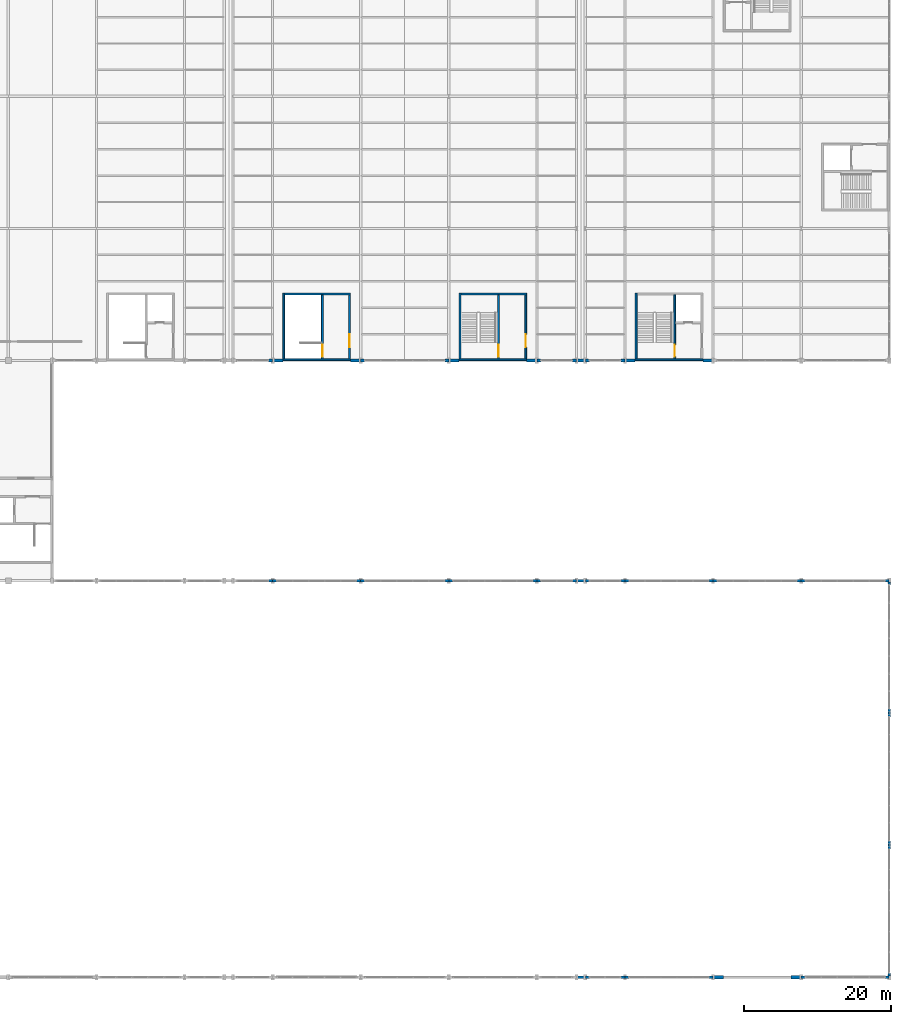
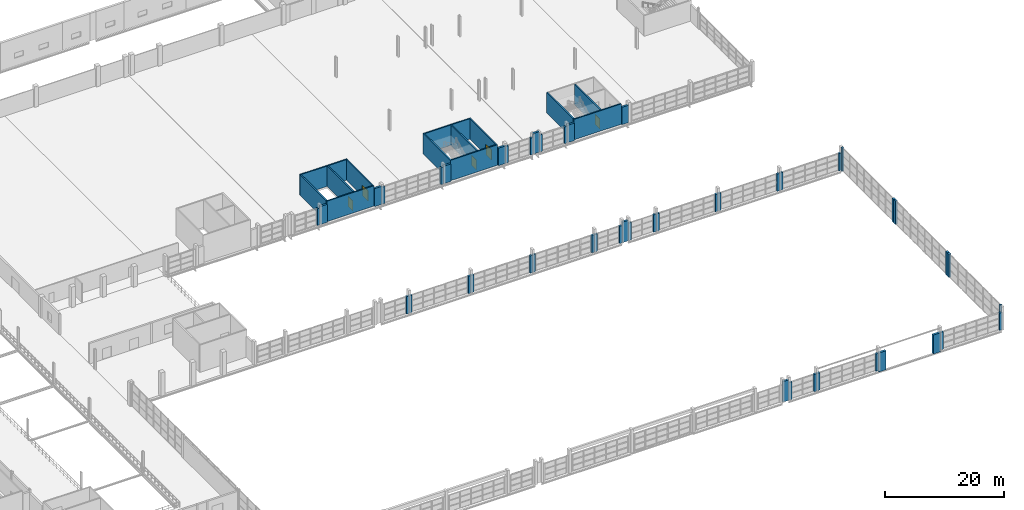
# One storey, part 137 of 147: 60 walls, 5 doors, 5 openings.
"""IFC4 building model written with IfcOpenShell, lengths in metres."""

from ifc_helpers import new_model, si_unit, direction, frame, frame_2d, origin, place, context, subcontext, project, spatial, rectangle, extrude, material, layer, layer_set, type_object, element, fill, save


model = new_model("IFC4")

# Units and contexts
model_context = context("Model", 3, precision=1e-05, world=origin(), true_north=direction((0.0, 1.0)))
body_context = subcontext(model_context, "Body", "Model", "MODEL_VIEW")
ifc_project = project(units=[si_unit("LENGTHUNIT", "METRE"), si_unit("AREAUNIT", "SQUARE_METRE"), si_unit("VOLUMEUNIT", "CUBIC_METRE"), si_unit("PLANEANGLEUNIT", "RADIAN"), si_unit("MASSUNIT", "GRAM", prefix="KILO")], contexts=[model_context])

# Site, building, storey
site_placement = place(None, origin())
site = spatial("IfcSite", under=ifc_project, at=site_placement, CompositionType="ELEMENT")
building_placement = place(site_placement, origin())
building = spatial("IfcBuilding", under=site, at=building_placement, Name="Zilviju Railside Exhibition Hall", CompositionType="ELEMENT")
storey_placement = place(building_placement, frame((0.0, 0.0, 8.39990234375)))
storey = spatial("IfcBuildingStorey", under=building, at=storey_placement, Name="L03", CompositionType="ELEMENT", Elevation=8.39990234375)

# Walls
ifc_material_1 = material(Name="Concrete C35/45", Category="concrete")
ifc_layer_1 = layer(ifc_material_1, 0.25)
ifc_layer_set_1 = layer_set([ifc_layer_1], Name="Concrete C35/45")
wall_type_1 = type_object("IfcWallType", Name="WL-CORE-250", PredefinedType="SHEAR", material=ifc_layer_set_1)
wall_1_placement = place(storey_placement, frame((133.52490234375, 84.0, 0.0), z_axis=(0.0, 0.0, 1.0), x_axis=(0.0, 1.0, 0.0)))
element("IfcWall", 1, at=wall_1_placement, inside=storey, type_object=wall_type_1, Name="Core C05 North Hall Court MidW Stairwell Outer Wall L03", PredefinedType="SHEAR", context=body_context, shape_type="SweptSolid", body=[
    extrude(rectangle(XDim=9.199951171875, YDim=0.25, at=frame_2d((4.60009765625, 0.0))), origin(), (0.0, 0.0, 1.0), 4.2001953125),
])
wall_2_placement = place(storey_placement, frame((133.39990234375, 93.074951171875, 0.0), z_axis=(0.0, 0.0, 1.0), x_axis=(1.0, 0.0, 0.0)))
element("IfcWall", 2, at=wall_2_placement, inside=storey, type_object=wall_type_1, Name="Core C05 North Hall Court MidW Core Rear Wall L03", PredefinedType="SHEAR", context=body_context, shape_type="SweptSolid", body=[
    extrude(rectangle(XDim=9.2001953125, YDim=0.25, at=frame_2d((4.60009765625, 0.0))), origin(), (0.0, 0.0, 1.0), 4.2001953125),
])

# Wall, opening, door
wall_3_placement = place(storey_placement, frame((142.47509765625, 84.0, 0.0), z_axis=(0.0, 0.0, 1.0), x_axis=(0.0, 1.0, 0.0)))
wall_3 = element("IfcWall", 3, at=wall_3_placement, inside=storey, type_object=wall_type_1, Name="Core C05 North Hall Court MidW Lobby Side Wall L03", PredefinedType="SHEAR", context=body_context, shape_type="SweptSolid", body=[
    extrude(rectangle(XDim=9.199951171875, YDim=0.25, at=frame_2d((4.60009765625, 0.0))), origin(), (0.0, 0.0, 1.0), 4.2001953125),
])
opening_1_placement = place(wall_3_placement, frame((1.800048828125, 0.0, 0.0)))
opening_1 = element("IfcOpeningElement", 4, at=opening_1_placement, cuts=wall_3, Name="Opening FD-02", PredefinedType="OPENING", context=body_context, shape_type="SweptSolid", body=[
    extrude(rectangle(XDim=1.800048828125, YDim=2.14990234375, at=frame_2d((0.89990234375, 1.074951171875))), frame((0.0, 0.135009765625, 0.0), z_axis=(0.0, -1.0, 0.0), x_axis=(1.0, 0.0, 0.0)), (0.0, 0.0, 1.0), 0.27001953125),
])
ifc_material_2 = material(Name="Self-closing glazed steel core lobby fire door EI 60", Category="steel")
door_type_1 = type_object("IfcDoorType", Name="DR-LOBBY-180x215", OperationType="NOTDEFINED", PredefinedType="DOOR", material=ifc_material_2)
door_1_placement = place(opening_1_placement, origin())
door_1 = element("IfcDoor", 5, at=door_1_placement, inside=storey, type_object=door_type_1, Name="Core C05 North Hall Court MidW Lobby Fire Door L03", OperationType="DOUBLE_DOOR_SINGLE_SWING", OverallHeight=2.14990234375, OverallWidth=1.800048828125, PredefinedType="DOOR", context=body_context, shape_type="SweptSolid", body=[
    extrude(rectangle(XDim=1.800048828125, YDim=2.14990234375, at=frame_2d((0.89990234375, 1.074951171875))), frame((0.0, 0.02490234375, 0.0), z_axis=(0.0, -1.0, 0.0), x_axis=(1.0, 0.0, 0.0)), (0.0, 0.0, 1.0), 0.050048828125),
])
fill(opening_1, door_1)

wall_4_placement = place(storey_placement, frame((138.77490234375, 84.25, 0.0), z_axis=(0.0, 0.0, 1.0), x_axis=(0.0, 1.0, 0.0)))
wall_4 = element("IfcWall", 6, at=wall_4_placement, inside=storey, type_object=wall_type_1, Name="Core C05 North Hall Court MidW Stairwell Partition Wall L03", PredefinedType="SHEAR", context=body_context, shape_type="SweptSolid", body=[
    extrude(rectangle(XDim=8.699951171875, YDim=0.25, at=frame_2d((4.35009765625, 0.0))), origin(), (0.0, 0.0, 1.0), 4.2001953125),
])
opening_2_placement = place(wall_4_placement, frame((0.25, 0.0, 0.0)))
opening_2 = element("IfcOpeningElement", 7, at=opening_2_placement, cuts=wall_4, Name="Opening FD-01", PredefinedType="OPENING", context=body_context, shape_type="SweptSolid", body=[
    extrude(rectangle(XDim=1.64990234375, YDim=2.10009765625, at=frame_2d((0.824951171875, 1.050048828125))), frame((0.0, 0.135009765625, 0.0), z_axis=(0.0, -1.0, 0.0), x_axis=(1.0, 0.0, 0.0)), (0.0, 0.0, 1.0), 0.27001953125),
])
ifc_material_3 = material(Name="Self-closing steel stair enclosure fire door EI 60", Category="steel")
door_type_2 = type_object("IfcDoorType", Name="DR-STAIR-165x210", OperationType="NOTDEFINED", PredefinedType="DOOR", material=ifc_material_3)
door_2_placement = place(opening_2_placement, origin())
door_2 = element("IfcDoor", 8, at=door_2_placement, inside=storey, type_object=door_type_2, Name="Core C05 North Hall Court MidW Protected Stair Door L03", OperationType="SINGLE_SWING_LEFT", OverallHeight=2.10009765625, OverallWidth=1.64990234375, PredefinedType="DOOR", context=body_context, shape_type="SweptSolid", body=[
    extrude(rectangle(XDim=1.64990234375, YDim=2.10009765625, at=frame_2d((0.824951171875, 1.050048828125))), frame((0.0, 0.02490234375, 0.0), z_axis=(0.0, -1.0, 0.0), x_axis=(1.0, 0.0, 0.0)), (0.0, 0.0, 1.0), 0.050048828125),
])
fill(opening_2, door_2)

# Walls
wall_5_placement = place(storey_placement, frame((157.52490234375, 84.0, 0.0), z_axis=(0.0, 0.0, 1.0), x_axis=(0.0, 1.0, 0.0)))
element("IfcWall", 9, at=wall_5_placement, inside=storey, type_object=wall_type_1, Name="Core C06 North Hall Court MidE Stairwell Outer Wall L03", PredefinedType="SHEAR", context=body_context, shape_type="SweptSolid", body=[
    extrude(rectangle(XDim=9.199951171875, YDim=0.25, at=frame_2d((4.60009765625, 0.0))), origin(), (0.0, 0.0, 1.0), 4.2001953125),
])
wall_6_placement = place(storey_placement, frame((157.39990234375, 93.074951171875, 0.0), z_axis=(0.0, 0.0, 1.0), x_axis=(1.0, 0.0, 0.0)))
element("IfcWall", 10, at=wall_6_placement, inside=storey, type_object=wall_type_1, Name="Core C06 North Hall Court MidE Core Rear Wall L03", PredefinedType="SHEAR", context=body_context, shape_type="SweptSolid", body=[
    extrude(rectangle(XDim=9.2001953125, YDim=0.25, at=frame_2d((4.60009765625, 0.0))), origin(), (0.0, 0.0, 1.0), 4.2001953125),
])

# Wall, opening, door
wall_7_placement = place(storey_placement, frame((166.47509765625, 84.0, 0.0), z_axis=(0.0, 0.0, 1.0), x_axis=(0.0, 1.0, 0.0)))
wall_7 = element("IfcWall", 11, at=wall_7_placement, inside=storey, type_object=wall_type_1, Name="Core C06 North Hall Court MidE Lobby Side Wall L03", PredefinedType="SHEAR", context=body_context, shape_type="SweptSolid", body=[
    extrude(rectangle(XDim=9.199951171875, YDim=0.25, at=frame_2d((4.60009765625, 0.0))), origin(), (0.0, 0.0, 1.0), 4.2001953125),
])
opening_3_placement = place(wall_7_placement, frame((1.800048828125, 0.0, 0.0)))
opening_3 = element("IfcOpeningElement", 12, at=opening_3_placement, cuts=wall_7, Name="Opening FD-02", PredefinedType="OPENING", context=body_context, shape_type="SweptSolid", body=[
    extrude(rectangle(XDim=1.800048828125, YDim=2.14990234375, at=frame_2d((0.89990234375, 1.074951171875))), frame((0.0, 0.135009765625, 0.0), z_axis=(0.0, -1.0, 0.0), x_axis=(1.0, 0.0, 0.0)), (0.0, 0.0, 1.0), 0.27001953125),
])
door_3_placement = place(opening_3_placement, origin())
door_3 = element("IfcDoor", 13, at=door_3_placement, inside=storey, type_object=door_type_1, Name="Core C06 North Hall Court MidE Lobby Fire Door L03", OperationType="DOUBLE_DOOR_SINGLE_SWING", OverallHeight=2.14990234375, OverallWidth=1.800048828125, PredefinedType="DOOR", context=body_context, shape_type="SweptSolid", body=[
    extrude(rectangle(XDim=1.800048828125, YDim=2.14990234375, at=frame_2d((0.89990234375, 1.074951171875))), frame((0.0, 0.02490234375, 0.0), z_axis=(0.0, -1.0, 0.0), x_axis=(1.0, 0.0, 0.0)), (0.0, 0.0, 1.0), 0.050048828125),
])
fill(opening_3, door_3)

wall_8_placement = place(storey_placement, frame((162.77490234375, 84.25, 0.0), z_axis=(0.0, 0.0, 1.0), x_axis=(0.0, 1.0, 0.0)))
wall_8 = element("IfcWall", 14, at=wall_8_placement, inside=storey, type_object=wall_type_1, Name="Core C06 North Hall Court MidE Stairwell Partition Wall L03", PredefinedType="SHEAR", context=body_context, shape_type="SweptSolid", body=[
    extrude(rectangle(XDim=8.699951171875, YDim=0.25, at=frame_2d((4.35009765625, 0.0))), origin(), (0.0, 0.0, 1.0), 4.2001953125),
])
opening_4_placement = place(wall_8_placement, frame((0.25, 0.0, 0.0)))
opening_4 = element("IfcOpeningElement", 15, at=opening_4_placement, cuts=wall_8, Name="Opening FD-01", PredefinedType="OPENING", context=body_context, shape_type="SweptSolid", body=[
    extrude(rectangle(XDim=1.64990234375, YDim=2.10009765625, at=frame_2d((0.824951171875, 1.050048828125))), frame((0.0, 0.135009765625, 0.0), z_axis=(0.0, -1.0, 0.0), x_axis=(1.0, 0.0, 0.0)), (0.0, 0.0, 1.0), 0.27001953125),
])
door_4_placement = place(opening_4_placement, origin())
door_4 = element("IfcDoor", 16, at=door_4_placement, inside=storey, type_object=door_type_2, Name="Core C06 North Hall Court MidE Protected Stair Door L03", OperationType="SINGLE_SWING_RIGHT", OverallHeight=2.10009765625, OverallWidth=1.64990234375, PredefinedType="DOOR", context=body_context, shape_type="SweptSolid", body=[
    extrude(rectangle(XDim=1.64990234375, YDim=2.10009765625, at=frame_2d((0.824951171875, 1.050048828125))), frame((0.0, 0.02490234375, 0.0), z_axis=(0.0, -1.0, 0.0), x_axis=(1.0, 0.0, 0.0)), (0.0, 0.0, 1.0), 0.050048828125),
])
fill(opening_4, door_4)

# Wall
wall_9_placement = place(storey_placement, frame((181.52490234375, 84.0, 0.0), z_axis=(0.0, 0.0, 1.0), x_axis=(0.0, 1.0, 0.0)))
element("IfcWall", 17, at=wall_9_placement, inside=storey, type_object=wall_type_1, Name="Core C07 North Hall Court East Stairwell Outer Wall L03", PredefinedType="SHEAR", context=body_context, shape_type="SweptSolid", body=[
    extrude(rectangle(XDim=9.199951171875, YDim=0.25, at=frame_2d((4.60009765625, 0.0))), origin(), (0.0, 0.0, 1.0), 4.2001953125),
])

# Wall, opening, door
wall_10_placement = place(storey_placement, frame((186.77490234375, 84.25, 0.0), z_axis=(0.0, 0.0, 1.0), x_axis=(0.0, 1.0, 0.0)))
wall_10 = element("IfcWall", 18, at=wall_10_placement, inside=storey, type_object=wall_type_1, Name="Core C07 North Hall Court East Stairwell Partition Wall L03", PredefinedType="SHEAR", context=body_context, shape_type="SweptSolid", body=[
    extrude(rectangle(XDim=8.699951171875, YDim=0.25, at=frame_2d((4.35009765625, 0.0))), origin(), (0.0, 0.0, 1.0), 4.2001953125),
])
opening_5_placement = place(wall_10_placement, frame((0.25, 0.0, 0.0)))
opening_5 = element("IfcOpeningElement", 19, at=opening_5_placement, cuts=wall_10, Name="Opening FD-01", PredefinedType="OPENING", context=body_context, shape_type="SweptSolid", body=[
    extrude(rectangle(XDim=1.64990234375, YDim=2.10009765625, at=frame_2d((0.824951171875, 1.050048828125))), frame((0.0, 0.135009765625, 0.0), z_axis=(0.0, -1.0, 0.0), x_axis=(1.0, 0.0, 0.0)), (0.0, 0.0, 1.0), 0.27001953125),
])
door_5_placement = place(opening_5_placement, origin())
door_5 = element("IfcDoor", 20, at=door_5_placement, inside=storey, type_object=door_type_2, Name="Core C07 North Hall Court East Protected Stair Door L03", OperationType="SINGLE_SWING_RIGHT", OverallHeight=2.10009765625, OverallWidth=1.64990234375, PredefinedType="DOOR", context=body_context, shape_type="SweptSolid", body=[
    extrude(rectangle(XDim=1.64990234375, YDim=2.10009765625, at=frame_2d((0.824951171875, 1.050048828125))), frame((0.0, 0.02490234375, 0.0), z_axis=(0.0, -1.0, 0.0), x_axis=(1.0, 0.0, 0.0)), (0.0, 0.0, 1.0), 0.050048828125),
])
fill(opening_5, door_5)

# Walls
ifc_material_4 = material(Name="Concrete C40/50", Category="concrete")
ifc_layer_2 = layer(ifc_material_4, 0.25)
ifc_layer_set_2 = layer_set([ifc_layer_2], Name="Concrete C40/50")
wall_type_2 = type_object("IfcWallType", Name="WL-CORE-300", PredefinedType="SHEAR", material=ifc_layer_set_2)
for number, where, z_axis, x_axis, name in (
    (21, (142.60009765625, 84.125, 0.0), (0.0, 0.0, 1.0), (-1.0, 0.0, 0.0), "Core C05 North Hall Court MidW Exterior Core Wall L03"),
    (22, (166.60009765625, 84.125, 0.0), (0.0, 0.0, 1.0), (-1.0, 0.0, 0.0), "Core C06 North Hall Court MidE Exterior Core Wall L03"),
    (23, (190.60009765625, 84.125, 0.0), (0.0, 0.0, 1.0), (-1.0, 0.0, 0.0), "Core C07 North Hall Court East Exterior Core Wall L03"),
):
    element("IfcWall", number, at=place(storey_placement, frame(where, z_axis=z_axis, x_axis=x_axis)), inside=storey, type_object=wall_type_2, Name=name, PredefinedType="SHEAR", context=body_context, shape_type="SweptSolid", body=[
        extrude(rectangle(XDim=9.2001953125, YDim=0.25, at=frame_2d((4.60009765625, 0.0))), origin(), (0.0, 0.0, 1.0), 4.2001953125),
    ])
ifc_material_5 = material(Name="Insulated courtyard masonry wall", Category="masonry")
ifc_layer_3 = layer(ifc_material_5, 0.360107421875)
ifc_layer_set_3 = layer_set([ifc_layer_3], Name="Insulated courtyard masonry wall")
wall_type_3 = type_object("IfcWallType", Name="WL-EXT-360", PredefinedType="SOLIDWALL", material=ifc_layer_set_3)
for number, where, z_axis, x_axis, name in (
    (24, (174.60009765625, 0.0, 0.0), (0.0, 0.0, 1.0), (-1.0, 0.0, 0.0), "Exterior Facade Wall L03 South 0601"),
    (25, (173.39990234375, 54.0, 0.0), (0.0, 0.0, 1.0), (1.0, 0.0, 0.0), "Exterior Facade Wall L03 North 0602"),
):
    element("IfcWall", number, at=place(storey_placement, frame(where, z_axis=z_axis, x_axis=x_axis)), inside=storey, type_object=wall_type_3, Name=name, PredefinedType="SOLIDWALL", context=body_context, shape_type="SweptSolid", body=[
        extrude(rectangle(XDim=1.2001953125, YDim=0.360107421875, at=frame_2d((0.60009765625, 0.0))), origin(), (0.0, 0.0, 1.0), 4.2001953125),
    ])
ifc_material_6 = material(Name="Insulated cream-brick upper facade wall", Category="masonry")
ifc_layer_4 = layer(ifc_material_6, 0.3798828125)
ifc_layer_set_4 = layer_set([ifc_layer_4], Name="Insulated cream-brick upper facade wall")
wall_type_4 = type_object("IfcWallType", Name="WL-EXT-380", PredefinedType="SOLIDWALL", material=ifc_layer_set_4)
wall_11_placement = place(storey_placement, frame((175.14990234375, 0.0, 0.0), z_axis=(0.0, 0.0, 1.0), x_axis=(-1.0, 0.0, 0.0)))
element("IfcWall", 26, at=wall_11_placement, inside=storey, type_object=wall_type_4, Name="Curtain-Wall Jamb Closure Pier L03 0115", PredefinedType="SOLIDWALL", context=body_context, shape_type="SweptSolid", body=[
    extrude(rectangle(XDim=0.5478515625, YDim=0.3798828125, at=frame_2d((0.27392578125, 0.0))), origin(), (0.0, 0.0, 1.0), 3.56005859375),
])
wall_12_placement = place(storey_placement, frame((180.0, 0.0, 0.0), z_axis=(0.0, 0.0, 1.0), x_axis=(-1.0, 0.0, 0.0)))
element("IfcWall", 27, at=wall_12_placement, inside=storey, type_object=wall_type_4, Name="Curtain-Wall Jamb Closure Pier L03 0116", PredefinedType="SOLIDWALL", context=body_context, shape_type="SweptSolid", body=[
    extrude(rectangle(XDim=0.550048828125, YDim=0.3798828125, at=frame_2d((0.27490234375, 0.0))), origin(), (0.0, 0.0, 1.0), 3.56005859375),
])
for number, where, z_axis, x_axis, name in (
    (28, (180.550048828125, 0.0, 0.0), (0.0, 0.0, 1.0), (-1.0, 0.0, 0.0), "Curtain-Wall Jamb Closure Pier L03 0117"),
    (29, (191.998046875, 0.0, 0.0), (0.0, 0.0, 1.0), (-1.0, 0.0, 0.0), "Curtain-Wall Jamb Closure Pier L03 0118"),
    (30, (204.550048828125, 0.0, 0.0), (0.0, 0.0, 1.0), (-1.0, 0.0, 0.0), "Curtain-Wall Jamb Closure Pier L03 0121"),
):
    element("IfcWall", number, at=place(storey_placement, frame(where, z_axis=z_axis, x_axis=x_axis)), inside=storey, type_object=wall_type_4, Name=name, PredefinedType="SOLIDWALL", context=body_context, shape_type="SweptSolid", body=[
        extrude(rectangle(XDim=0.548095703125, YDim=0.3798828125, at=frame_2d((0.27392578125, 0.0))), origin(), (0.0, 0.0, 1.0), 3.56005859375),
    ])
for number, where, z_axis, x_axis, name in (
    (31, (216.0, 0.0, 0.0), (0.0, 0.0, 1.0), (-1.0, 0.0, 0.0), "Curtain-Wall Jamb Closure Pier L03 0122"),
    (32, (131.449951171875, 54.0, 0.0), (0.0, 0.0, 1.0), (1.0, 0.0, 0.0), "Curtain-Wall Jamb Closure Pier L03 0130"),
):
    element("IfcWall", number, at=place(storey_placement, frame(where, z_axis=z_axis, x_axis=x_axis)), inside=storey, type_object=wall_type_4, Name=name, PredefinedType="SOLIDWALL", context=body_context, shape_type="SweptSolid", body=[
        extrude(rectangle(XDim=0.550048828125, YDim=0.3798828125, at=frame_2d((0.27490234375, 0.0))), origin(), (0.0, 0.0, 1.0), 3.56005859375),
    ])
wall_13_placement = place(storey_placement, frame((132.001953125, 54.0, 0.0), z_axis=(0.0, 0.0, 1.0), x_axis=(1.0, 0.0, 0.0)))
element("IfcWall", 33, at=wall_13_placement, inside=storey, type_object=wall_type_4, Name="Curtain-Wall Jamb Closure Pier L03 0131", PredefinedType="SOLIDWALL", context=body_context, shape_type="SweptSolid", body=[
    extrude(rectangle(XDim=0.548095703125, YDim=0.3798828125, at=frame_2d((0.27392578125, 0.0))), origin(), (0.0, 0.0, 1.0), 3.56005859375),
])
wall_14_placement = place(storey_placement, frame((143.449951171875, 54.0, 0.0), z_axis=(0.0, 0.0, 1.0), x_axis=(1.0, 0.0, 0.0)))
element("IfcWall", 34, at=wall_14_placement, inside=storey, type_object=wall_type_4, Name="Curtain-Wall Jamb Closure Pier L03 0132", PredefinedType="SOLIDWALL", context=body_context, shape_type="SweptSolid", body=[
    extrude(rectangle(XDim=0.550048828125, YDim=0.3798828125, at=frame_2d((0.27490234375, 0.0))), origin(), (0.0, 0.0, 1.0), 3.56005859375),
])
wall_15_placement = place(storey_placement, frame((144.001953125, 54.0, 0.0), z_axis=(0.0, 0.0, 1.0), x_axis=(1.0, 0.0, 0.0)))
element("IfcWall", 35, at=wall_15_placement, inside=storey, type_object=wall_type_4, Name="Curtain-Wall Jamb Closure Pier L03 0133", PredefinedType="SOLIDWALL", context=body_context, shape_type="SweptSolid", body=[
    extrude(rectangle(XDim=0.548095703125, YDim=0.3798828125, at=frame_2d((0.27392578125, 0.0))), origin(), (0.0, 0.0, 1.0), 3.56005859375),
])
wall_16_placement = place(storey_placement, frame((155.449951171875, 54.0, 0.0), z_axis=(0.0, 0.0, 1.0), x_axis=(1.0, 0.0, 0.0)))
element("IfcWall", 36, at=wall_16_placement, inside=storey, type_object=wall_type_4, Name="Curtain-Wall Jamb Closure Pier L03 0134", PredefinedType="SOLIDWALL", context=body_context, shape_type="SweptSolid", body=[
    extrude(rectangle(XDim=0.550048828125, YDim=0.3798828125, at=frame_2d((0.27490234375, 0.0))), origin(), (0.0, 0.0, 1.0), 3.56005859375),
])
wall_17_placement = place(storey_placement, frame((156.001953125, 54.0, 0.0), z_axis=(0.0, 0.0, 1.0), x_axis=(1.0, 0.0, 0.0)))
element("IfcWall", 37, at=wall_17_placement, inside=storey, type_object=wall_type_4, Name="Curtain-Wall Jamb Closure Pier L03 0135", PredefinedType="SOLIDWALL", context=body_context, shape_type="SweptSolid", body=[
    extrude(rectangle(XDim=0.548095703125, YDim=0.3798828125, at=frame_2d((0.27392578125, 0.0))), origin(), (0.0, 0.0, 1.0), 3.56005859375),
])
wall_18_placement = place(storey_placement, frame((167.449951171875, 54.0, 0.0), z_axis=(0.0, 0.0, 1.0), x_axis=(1.0, 0.0, 0.0)))
element("IfcWall", 38, at=wall_18_placement, inside=storey, type_object=wall_type_4, Name="Curtain-Wall Jamb Closure Pier L03 0136", PredefinedType="SOLIDWALL", context=body_context, shape_type="SweptSolid", body=[
    extrude(rectangle(XDim=0.550048828125, YDim=0.3798828125, at=frame_2d((0.27490234375, 0.0))), origin(), (0.0, 0.0, 1.0), 3.56005859375),
])
wall_19_placement = place(storey_placement, frame((168.001953125, 54.0, 0.0), z_axis=(0.0, 0.0, 1.0), x_axis=(1.0, 0.0, 0.0)))
element("IfcWall", 39, at=wall_19_placement, inside=storey, type_object=wall_type_4, Name="Curtain-Wall Jamb Closure Pier L03 0137", PredefinedType="SOLIDWALL", context=body_context, shape_type="SweptSolid", body=[
    extrude(rectangle(XDim=0.548095703125, YDim=0.3798828125, at=frame_2d((0.27392578125, 0.0))), origin(), (0.0, 0.0, 1.0), 3.56005859375),
])
for number, where, z_axis, x_axis, name in (
    (40, (172.85009765625, 54.0, 0.0), (0.0, 0.0, 1.0), (1.0, 0.0, 0.0), "Curtain-Wall Jamb Closure Pier L03 0138"),
    (41, (174.60205078125, 54.0, 0.0), (0.0, 0.0, 1.0), (1.0, 0.0, 0.0), "Curtain-Wall Jamb Closure Pier L03 0139"),
):
    element("IfcWall", number, at=place(storey_placement, frame(where, z_axis=z_axis, x_axis=x_axis)), inside=storey, type_object=wall_type_4, Name=name, PredefinedType="SOLIDWALL", context=body_context, shape_type="SweptSolid", body=[
        extrude(rectangle(XDim=0.5478515625, YDim=0.3798828125, at=frame_2d((0.27392578125, 0.0))), origin(), (0.0, 0.0, 1.0), 3.56005859375),
    ])
wall_20_placement = place(storey_placement, frame((179.449951171875, 54.0, 0.0), z_axis=(0.0, 0.0, 1.0), x_axis=(1.0, 0.0, 0.0)))
element("IfcWall", 42, at=wall_20_placement, inside=storey, type_object=wall_type_4, Name="Curtain-Wall Jamb Closure Pier L03 0140", PredefinedType="SOLIDWALL", context=body_context, shape_type="SweptSolid", body=[
    extrude(rectangle(XDim=0.550048828125, YDim=0.3798828125, at=frame_2d((0.27490234375, 0.0))), origin(), (0.0, 0.0, 1.0), 3.56005859375),
])
wall_21_placement = place(storey_placement, frame((180.001953125, 54.0, 0.0), z_axis=(0.0, 0.0, 1.0), x_axis=(1.0, 0.0, 0.0)))
element("IfcWall", 43, at=wall_21_placement, inside=storey, type_object=wall_type_4, Name="Curtain-Wall Jamb Closure Pier L03 0141", PredefinedType="SOLIDWALL", context=body_context, shape_type="SweptSolid", body=[
    extrude(rectangle(XDim=0.548095703125, YDim=0.3798828125, at=frame_2d((0.27392578125, 0.0))), origin(), (0.0, 0.0, 1.0), 3.56005859375),
])
wall_22_placement = place(storey_placement, frame((191.449951171875, 54.0, 0.0), z_axis=(0.0, 0.0, 1.0), x_axis=(1.0, 0.0, 0.0)))
element("IfcWall", 44, at=wall_22_placement, inside=storey, type_object=wall_type_4, Name="Curtain-Wall Jamb Closure Pier L03 0142", PredefinedType="SOLIDWALL", context=body_context, shape_type="SweptSolid", body=[
    extrude(rectangle(XDim=0.550048828125, YDim=0.3798828125, at=frame_2d((0.27490234375, 0.0))), origin(), (0.0, 0.0, 1.0), 3.56005859375),
])
wall_23_placement = place(storey_placement, frame((192.001953125, 54.0, 0.0), z_axis=(0.0, 0.0, 1.0), x_axis=(1.0, 0.0, 0.0)))
element("IfcWall", 45, at=wall_23_placement, inside=storey, type_object=wall_type_4, Name="Curtain-Wall Jamb Closure Pier L03 0143", PredefinedType="SOLIDWALL", context=body_context, shape_type="SweptSolid", body=[
    extrude(rectangle(XDim=0.548095703125, YDim=0.3798828125, at=frame_2d((0.27392578125, 0.0))), origin(), (0.0, 0.0, 1.0), 3.56005859375),
])
wall_24_placement = place(storey_placement, frame((203.449951171875, 54.0, 0.0), z_axis=(0.0, 0.0, 1.0), x_axis=(1.0, 0.0, 0.0)))
element("IfcWall", 46, at=wall_24_placement, inside=storey, type_object=wall_type_4, Name="Curtain-Wall Jamb Closure Pier L03 0144", PredefinedType="SOLIDWALL", context=body_context, shape_type="SweptSolid", body=[
    extrude(rectangle(XDim=0.550048828125, YDim=0.3798828125, at=frame_2d((0.27490234375, 0.0))), origin(), (0.0, 0.0, 1.0), 3.56005859375),
])
wall_25_placement = place(storey_placement, frame((204.001953125, 54.0, 0.0), z_axis=(0.0, 0.0, 1.0), x_axis=(1.0, 0.0, 0.0)))
element("IfcWall", 47, at=wall_25_placement, inside=storey, type_object=wall_type_4, Name="Curtain-Wall Jamb Closure Pier L03 0145", PredefinedType="SOLIDWALL", context=body_context, shape_type="SweptSolid", body=[
    extrude(rectangle(XDim=0.548095703125, YDim=0.3798828125, at=frame_2d((0.27392578125, 0.0))), origin(), (0.0, 0.0, 1.0), 3.56005859375),
])
wall_26_placement = place(storey_placement, frame((215.449951171875, 54.0, 0.0), z_axis=(0.0, 0.0, 1.0), x_axis=(1.0, 0.0, 0.0)))
element("IfcWall", 48, at=wall_26_placement, inside=storey, type_object=wall_type_4, Name="Curtain-Wall Jamb Closure Pier L03 0146", PredefinedType="SOLIDWALL", context=body_context, shape_type="SweptSolid", body=[
    extrude(rectangle(XDim=0.550048828125, YDim=0.3798828125, at=frame_2d((0.27490234375, 0.0))), origin(), (0.0, 0.0, 1.0), 3.56005859375),
])
wall_27_placement = place(storey_placement, frame((216.0, 0.550048828125, 0.0), z_axis=(0.0, 0.0, 1.0), x_axis=(0.0, -1.0, 0.0)))
element("IfcWall", 49, at=wall_27_placement, inside=storey, type_object=wall_type_4, Name="Curtain-Wall Jamb Closure Pier L03 0147", PredefinedType="SOLIDWALL", context=body_context, shape_type="SweptSolid", body=[
    extrude(rectangle(XDim=0.358154296875, YDim=0.3798828125, at=frame_2d((0.17919921875, 0.0))), origin(), (0.0, 0.0, 1.0), 4.800048828125),
])
wall_28_placement = place(storey_placement, frame((216.0, 18.0, 0.0), z_axis=(0.0, 0.0, 1.0), x_axis=(0.0, -1.0, 0.0)))
element("IfcWall", 50, at=wall_28_placement, inside=storey, type_object=wall_type_4, Name="Curtain-Wall Jamb Closure Pier L03 0148", PredefinedType="SOLIDWALL", context=body_context, shape_type="SweptSolid", body=[
    extrude(rectangle(XDim=0.550048828125, YDim=0.3798828125, at=frame_2d((0.27490234375, 0.0))), origin(), (0.0, 0.0, 1.0), 4.800048828125),
])
wall_29_placement = place(storey_placement, frame((216.0, 18.550048828125, 0.0), z_axis=(0.0, 0.0, 1.0), x_axis=(0.0, -1.0, 0.0)))
element("IfcWall", 51, at=wall_29_placement, inside=storey, type_object=wall_type_4, Name="Curtain-Wall Jamb Closure Pier L03 0149", PredefinedType="SOLIDWALL", context=body_context, shape_type="SweptSolid", body=[
    extrude(rectangle(XDim=0.548095703125, YDim=0.3798828125, at=frame_2d((0.27392578125, 0.0))), origin(), (0.0, 0.0, 1.0), 4.800048828125),
])
wall_30_placement = place(storey_placement, frame((216.0, 36.0, 0.0), z_axis=(0.0, 0.0, 1.0), x_axis=(0.0, -1.0, 0.0)))
element("IfcWall", 52, at=wall_30_placement, inside=storey, type_object=wall_type_4, Name="Curtain-Wall Jamb Closure Pier L03 0150", PredefinedType="SOLIDWALL", context=body_context, shape_type="SweptSolid", body=[
    extrude(rectangle(XDim=0.550048828125, YDim=0.3798828125, at=frame_2d((0.27490234375, 0.0))), origin(), (0.0, 0.0, 1.0), 4.800048828125),
])
wall_31_placement = place(storey_placement, frame((216.0, 36.550048828125, 0.0), z_axis=(0.0, 0.0, 1.0), x_axis=(0.0, -1.0, 0.0)))
element("IfcWall", 53, at=wall_31_placement, inside=storey, type_object=wall_type_4, Name="Curtain-Wall Jamb Closure Pier L03 0151", PredefinedType="SOLIDWALL", context=body_context, shape_type="SweptSolid", body=[
    extrude(rectangle(XDim=0.548095703125, YDim=0.3798828125, at=frame_2d((0.27392578125, 0.0))), origin(), (0.0, 0.0, 1.0), 4.800048828125),
])
wall_32_placement = place(storey_placement, frame((216.0, 53.80810546875, 0.0), z_axis=(0.0, 0.0, 1.0), x_axis=(0.0, -1.0, 0.0)))
element("IfcWall", 54, at=wall_32_placement, inside=storey, type_object=wall_type_4, Name="Curtain-Wall Jamb Closure Pier L03 0152", PredefinedType="SOLIDWALL", context=body_context, shape_type="SweptSolid", body=[
    extrude(rectangle(XDim=0.358154296875, YDim=0.3798828125, at=frame_2d((0.17919921875, 0.0))), origin(), (0.0, 0.0, 1.0), 4.800048828125),
])
wall_33_placement = place(storey_placement, frame((131.998046875, 84.0, 0.0), z_axis=(0.0, 0.0, 1.0), x_axis=(-1.0, 0.0, 0.0)))
element("IfcWall", 55, at=wall_33_placement, inside=storey, type_object=wall_type_4, Name="Curtain-Wall Jamb Closure Pier L03 0230", PredefinedType="SOLIDWALL", context=body_context, shape_type="SweptSolid", body=[
    extrude(rectangle(XDim=0.548095703125, YDim=0.3798828125, at=frame_2d((0.27392578125, 0.0))), origin(), (0.0, 0.0, 1.0), 3.4501953125),
])
for number, where, z_axis, x_axis, name in (
    (56, (133.39990234375, 84.0, 0.0), (0.0, 0.0, 1.0), (-1.0, 0.0, 0.0), "Exterior Facade Wall L03 South 0231"),
    (57, (144.0, 84.0, 0.0), (0.0, 0.0, 1.0), (-1.0, 0.0, 0.0), "Exterior Facade Wall L03 South 0232"),
):
    element("IfcWall", number, at=place(storey_placement, frame(where, z_axis=z_axis, x_axis=x_axis)), inside=storey, type_object=wall_type_4, Name=name, PredefinedType="SOLIDWALL", context=body_context, shape_type="SweptSolid", body=[
        extrude(rectangle(XDim=1.39990234375, YDim=0.3798828125, at=frame_2d((0.699951171875, 0.0))), origin(), (0.0, 0.0, 1.0), 3.690185546875),
    ])
for number, where, z_axis, x_axis, name in (
    (58, (144.550048828125, 84.0, 0.0), (0.0, 0.0, 1.0), (-1.0, 0.0, 0.0), "Curtain-Wall Jamb Closure Pier L03 0233"),
    (59, (155.998046875, 84.0, 0.0), (0.0, 0.0, 1.0), (-1.0, 0.0, 0.0), "Curtain-Wall Jamb Closure Pier L03 0234"),
):
    element("IfcWall", number, at=place(storey_placement, frame(where, z_axis=z_axis, x_axis=x_axis)), inside=storey, type_object=wall_type_4, Name=name, PredefinedType="SOLIDWALL", context=body_context, shape_type="SweptSolid", body=[
        extrude(rectangle(XDim=0.548095703125, YDim=0.3798828125, at=frame_2d((0.27392578125, 0.0))), origin(), (0.0, 0.0, 1.0), 3.4501953125),
    ])
for number, where, z_axis, x_axis, name in (
    (60, (157.39990234375, 84.0, 0.0), (0.0, 0.0, 1.0), (-1.0, 0.0, 0.0), "Exterior Facade Wall L03 South 0235"),
    (61, (168.0, 84.0, 0.0), (0.0, 0.0, 1.0), (-1.0, 0.0, 0.0), "Exterior Facade Wall L03 South 0236"),
):
    element("IfcWall", number, at=place(storey_placement, frame(where, z_axis=z_axis, x_axis=x_axis)), inside=storey, type_object=wall_type_4, Name=name, PredefinedType="SOLIDWALL", context=body_context, shape_type="SweptSolid", body=[
        extrude(rectangle(XDim=1.39990234375, YDim=0.3798828125, at=frame_2d((0.699951171875, 0.0))), origin(), (0.0, 0.0, 1.0), 3.580078125),
    ])
wall_34_placement = place(storey_placement, frame((168.550048828125, 84.0, 0.0), z_axis=(0.0, 0.0, 1.0), x_axis=(-1.0, 0.0, 0.0)))
element("IfcWall", 62, at=wall_34_placement, inside=storey, type_object=wall_type_4, Name="Curtain-Wall Jamb Closure Pier L03 0237", PredefinedType="SOLIDWALL", context=body_context, shape_type="SweptSolid", body=[
    extrude(rectangle(XDim=0.548095703125, YDim=0.3798828125, at=frame_2d((0.27392578125, 0.0))), origin(), (0.0, 0.0, 1.0), 3.4501953125),
])
for number, where, z_axis, x_axis, name in (
    (63, (173.39794921875, 84.0, 0.0), (0.0, 0.0, 1.0), (-1.0, 0.0, 0.0), "Curtain-Wall Jamb Closure Pier L03 0238"),
    (64, (175.14990234375, 84.0, 0.0), (0.0, 0.0, 1.0), (-1.0, 0.0, 0.0), "Curtain-Wall Jamb Closure Pier L03 0239"),
):
    element("IfcWall", number, at=place(storey_placement, frame(where, z_axis=z_axis, x_axis=x_axis)), inside=storey, type_object=wall_type_4, Name=name, PredefinedType="SOLIDWALL", context=body_context, shape_type="SweptSolid", body=[
        extrude(rectangle(XDim=0.5478515625, YDim=0.3798828125, at=frame_2d((0.27392578125, 0.0))), origin(), (0.0, 0.0, 1.0), 3.4501953125),
    ])
wall_35_placement = place(storey_placement, frame((179.998046875, 84.0, 0.0), z_axis=(0.0, 0.0, 1.0), x_axis=(-1.0, 0.0, 0.0)))
element("IfcWall", 65, at=wall_35_placement, inside=storey, type_object=wall_type_4, Name="Curtain-Wall Jamb Closure Pier L03 0240", PredefinedType="SOLIDWALL", context=body_context, shape_type="SweptSolid", body=[
    extrude(rectangle(XDim=0.548095703125, YDim=0.3798828125, at=frame_2d((0.27392578125, 0.0))), origin(), (0.0, 0.0, 1.0), 3.4501953125),
])
for number, where, z_axis, x_axis, name in (
    (66, (181.39990234375, 84.0, 0.0), (0.0, 0.0, 1.0), (-1.0, 0.0, 0.0), "Exterior Facade Wall L03 South 0241"),
    (67, (192.0, 84.0, 0.0), (0.0, 0.0, 1.0), (-1.0, 0.0, 0.0), "Exterior Facade Wall L03 South 0242"),
):
    element("IfcWall", number, at=place(storey_placement, frame(where, z_axis=z_axis, x_axis=x_axis)), inside=storey, type_object=wall_type_4, Name=name, PredefinedType="SOLIDWALL", context=body_context, shape_type="SweptSolid", body=[
        extrude(rectangle(XDim=1.39990234375, YDim=0.3798828125, at=frame_2d((0.699951171875, 0.0))), origin(), (0.0, 0.0, 1.0), 3.580078125),
    ])
wall_36_placement = place(storey_placement, frame((174.60009765625, 84.0, 0.0), z_axis=(0.0, 0.0, 1.0), x_axis=(-1.0, 0.0, 0.0)))
element("IfcWall", 68, at=wall_36_placement, inside=storey, type_object=wall_type_4, Name="Exterior Facade Wall L03 South 0606", PredefinedType="SOLIDWALL", context=body_context, shape_type="SweptSolid", body=[
    extrude(rectangle(XDim=1.2001953125, YDim=0.3798828125, at=frame_2d((0.60009765625, 0.0))), origin(), (0.0, 0.0, 1.0), 4.2001953125),
])
ifc_material_7 = material(Name="Insulated Jugendstils ochre brick facade wall", Category="masonry")
ifc_layer_5 = layer(ifc_material_7, 0.419921875)
ifc_layer_set_5 = layer_set([ifc_layer_5], Name="Insulated Jugendstils ochre brick facade wall")
wall_type_5 = type_object("IfcWallType", Name="WL-EXT-420", PredefinedType="SOLIDWALL", material=ifc_layer_set_5)
for number, where, z_axis, x_axis, name in (
    (69, (193.39990234375, 0.0, -0.33984375), (0.0, 0.0, 1.0), (-1.0, 0.0, 0.0), "Exterior Facade Wall L03 South 0119"),
    (70, (204.0, 0.0, -0.33984375), (0.0, 0.0, 1.0), (-1.0, 0.0, 0.0), "Exterior Facade Wall L03 South 0120"),
):
    element("IfcWall", number, at=place(storey_placement, frame(where, z_axis=z_axis, x_axis=x_axis)), inside=storey, type_object=wall_type_5, Name=name, PredefinedType="SOLIDWALL", context=body_context, shape_type="SweptSolid", body=[
        extrude(rectangle(XDim=1.39990234375, YDim=0.419921875, at=frame_2d((0.699951171875, 0.0))), origin(), (0.0, 0.0, 1.0), 3.909912109375),
    ])

save(model, "model.ifc")
